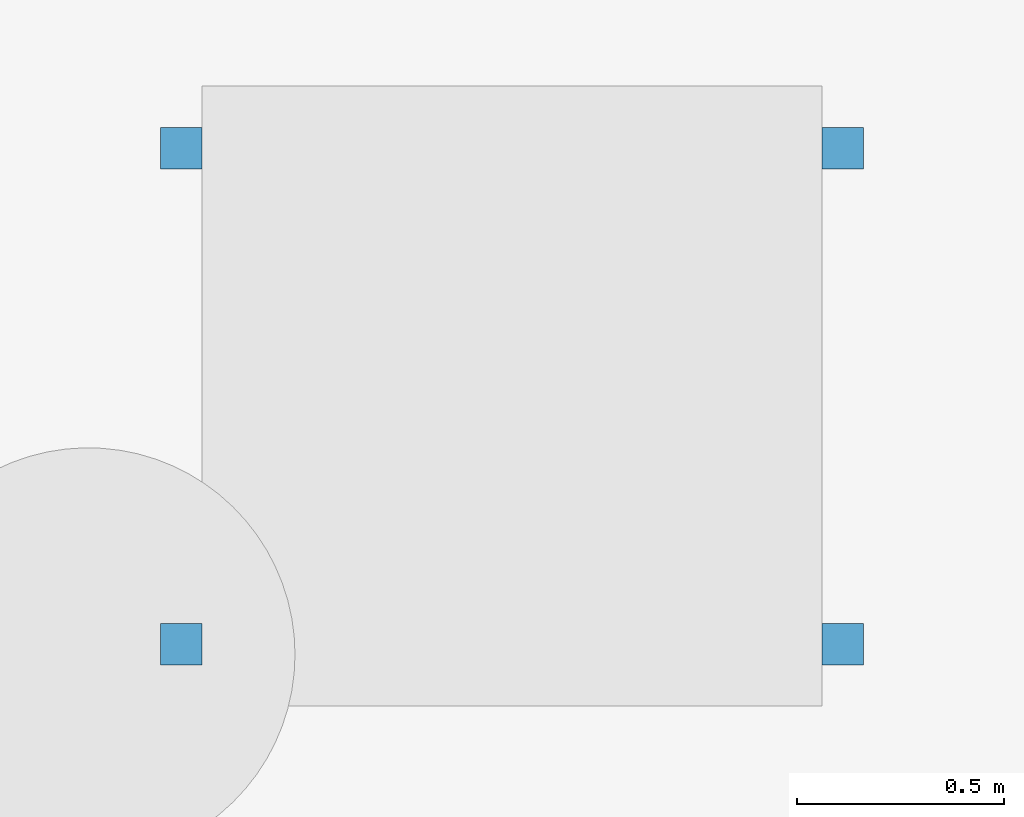
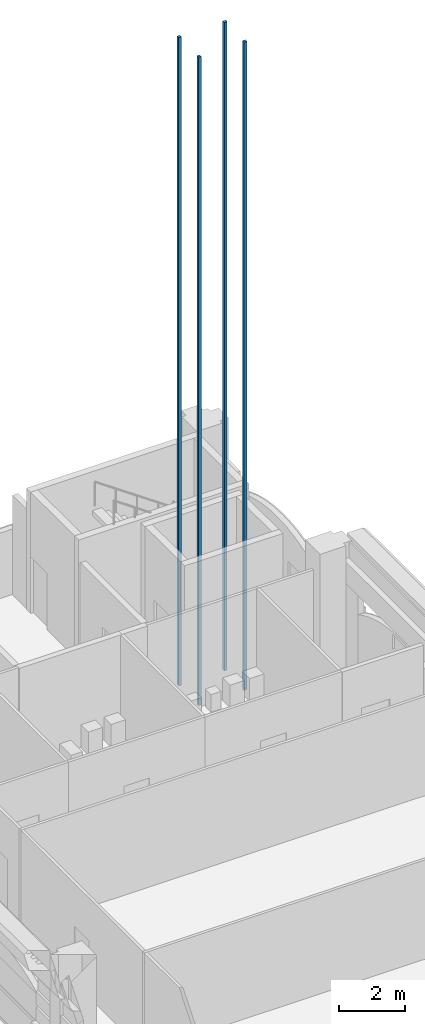
# One storey, part 57 of 99: 4 discrete accessories.
"""IFC4 building model written with IfcOpenShell, lengths in metres."""

from ifc_helpers import new_model, si_unit, direction, frame, origin, origin_2d, place, context, subcontext, project, spatial, rectangle, extrude, material, type_object, element, save


model = new_model("IFC4")

# Units and contexts
model_context = context("Model", 3, precision=1e-05, world=origin(), true_north=direction((0.0, 1.0)))
body_context = subcontext(model_context, "Body", "Model", "MODEL_VIEW")
ifc_project = project(units=[si_unit("LENGTHUNIT", "METRE"), si_unit("AREAUNIT", "SQUARE_METRE"), si_unit("VOLUMEUNIT", "CUBIC_METRE"), si_unit("PLANEANGLEUNIT", "RADIAN"), si_unit("MASSUNIT", "GRAM", prefix="KILO")], contexts=[model_context])

# Site, building, storey
site_placement = place(None, origin())
site = spatial("IfcSite", under=ifc_project, at=site_placement, CompositionType="ELEMENT")
building_placement = place(site_placement, origin())
building = spatial("IfcBuilding", under=site, at=building_placement, Name="Cour d'Honneur Mobility Palace", CompositionType="ELEMENT")
storey_placement = place(building_placement, origin())
storey = spatial("IfcBuildingStorey", under=building, at=storey_placement, Name="L00", CompositionType="ELEMENT", Elevation=0.0)

# Discrete accessories
ifc_material = material(Name="Steel S355", Category="steel")
discrete_accessory_type = type_object("IfcDiscreteAccessoryType", Name="Lift guide rail", PredefinedType="USERDEFINED", material=ifc_material)
for number, where, z_axis, x_axis, name in (
    (1, (158.89990234375, 109.199951171875, -1.39990234375), (0.0, 0.0, 1.0), (1.0, 0.0, 0.0), "Guide rail LF-NE1"),
    (2, (158.89990234375, 110.39990234375, -1.39990234375), (0.0, 0.0, 1.0), (1.0, 0.0, 0.0), "Guide rail LF-NE1"),
    (3, (160.5, 109.199951171875, -1.39990234375), (0.0, 0.0, 1.0), (1.0, 0.0, 0.0), "Guide rail LF-NE1"),
    (4, (160.5, 110.39990234375, -1.39990234375), (0.0, 0.0, 1.0), (1.0, 0.0, 0.0), "Guide rail LF-NE1"),
):
    element("IfcDiscreteAccessory", number, at=place(storey_placement, frame(where, z_axis=z_axis, x_axis=x_axis)), inside=storey, type_object=discrete_accessory_type, Name=name, ObjectType="GUIDE RAIL", PredefinedType="USERDEFINED", context=body_context, shape_type="SweptSolid", body=[
        extrude(rectangle(XDim=0.10009765625, YDim=0.10009765625, at=origin_2d()), origin(), (0.0, 0.0, 1.0), 24.050048828125),
    ])

save(model, "model.ifc")
